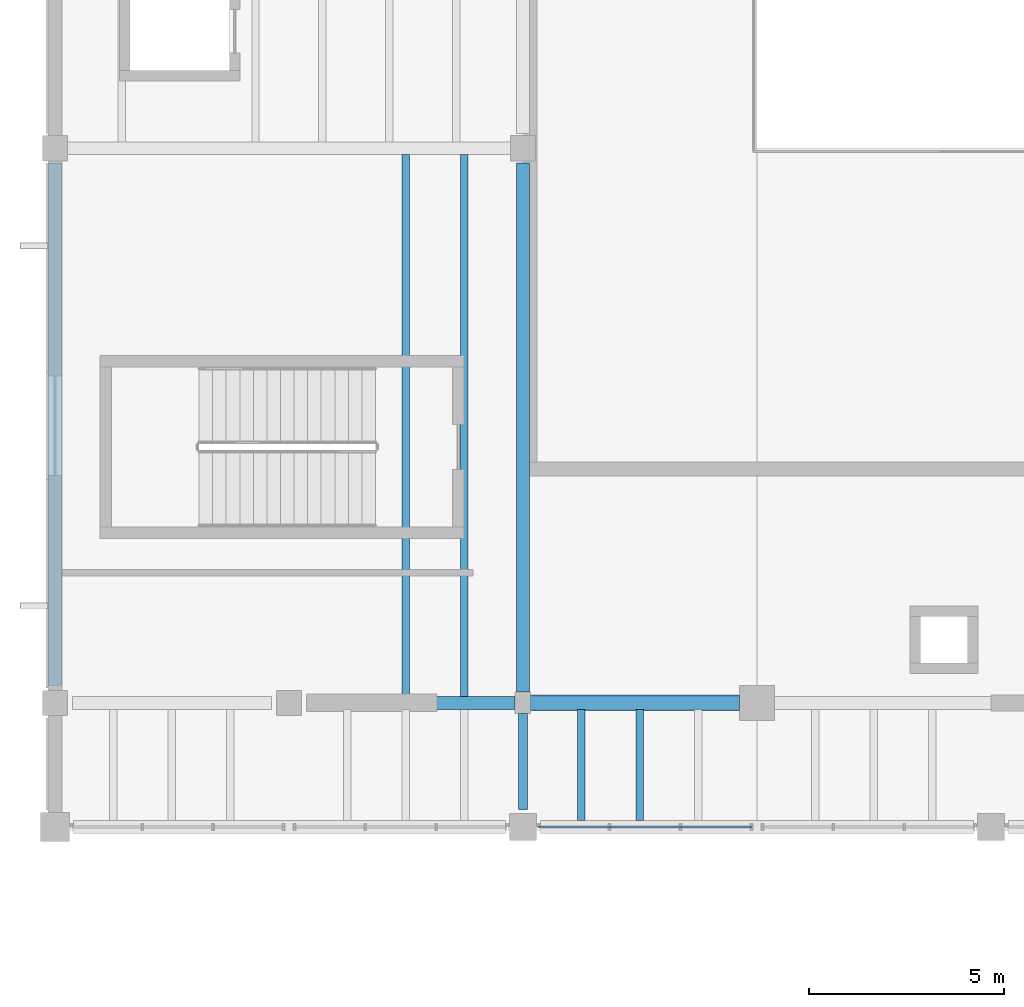
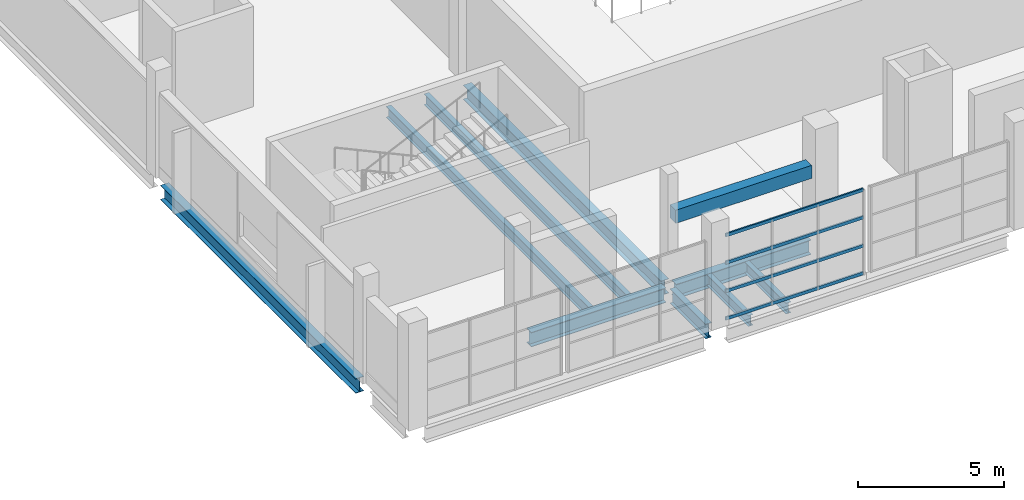
# One storey, part 16 of 63: 10 beams, 4 members, 1 element without a shape of its own.
"""IFC4 building model written with IfcOpenShell, lengths in metres."""

from ifc_helpers import new_model, si_unit, direction, frame, origin, origin_2d, place, context, subcontext, project, spatial, rectangle, hollow_rectangle, i_section, extrude, material, material_profile, profile_set, type_object, element, aggregate, save


model = new_model("IFC4")

# Units and contexts
model_context = context("Model", 3, precision=1e-05, world=origin(), true_north=direction((0.0, 1.0)))
body_context = subcontext(model_context, "Body", "Model", "MODEL_VIEW")
ifc_project = project(units=[si_unit("LENGTHUNIT", "METRE"), si_unit("AREAUNIT", "SQUARE_METRE"), si_unit("VOLUMEUNIT", "CUBIC_METRE"), si_unit("PLANEANGLEUNIT", "RADIAN"), si_unit("MASSUNIT", "GRAM", prefix="KILO")], contexts=[model_context])

# Site, building, storey
site_placement = place(None, origin())
site = spatial("IfcSite", under=ifc_project, at=site_placement, CompositionType="ELEMENT")
building_placement = place(site_placement, origin())
building = spatial("IfcBuilding", under=site, at=building_placement, Name="Kelmvaro Bay Concert Hall", CompositionType="ELEMENT")
storey_placement = place(building_placement, frame((0.0, 0.0, 13.800048828125)))
storey = spatial("IfcBuildingStorey", under=building, at=storey_placement, Name="L03", CompositionType="ELEMENT", Elevation=13.800048828125)

# Beams
ifc_material_1 = material(Name="Steel ASTM A992 Grade 50", Category="steel")
ifc_material_profile_1 = material_profile(ifc_material_1, i_section(OverallWidth=0.19189453125, OverallDepth=0.4619140625, WebThickness=0.010498046875, FlangeThickness=0.017578125, at=origin_2d()), Name="W18X60")
ifc_profile_set_1 = profile_set([ifc_material_profile_1], Name="Steel ASTM A992 Grade 50")
beam_type_1 = type_object("IfcBeamType", Name="Acoustic Box Floor Joist W18x60", PredefinedType="JOIST", material=ifc_profile_set_1)
for number, where, z_axis, x_axis, name in (
    (1, (9.0, 68.741943359375, -0.531005859375), (0.0, 1.0, 0.0), (-1.0, 0.0, 0.0), "L03 Floor Joist JST-L03-1621"),
    (2, (10.5, 68.741943359375, -0.531005859375), (0.0, 1.0, 0.0), (-1.0, 0.0, 0.0), "L03 Floor Joist JST-L03-1622"),
):
    element("IfcBeam", number, at=place(storey_placement, frame(where, z_axis=z_axis, x_axis=x_axis)), inside=storey, type_object=beam_type_1, Name=name, PredefinedType="JOIST", context=body_context, shape_type="SweptSolid", body=[
        extrude(i_section(OverallWidth=0.19189453125, OverallDepth=0.4619140625, WebThickness=0.010498046875, FlangeThickness=0.017578125, at=origin_2d()), origin(), (0.0, 0.0, 1.0), 13.89599609375),
    ])
ifc_material_2 = material(Name="Concrete C40/50", Category="concrete")
ifc_material_profile_2 = material_profile(ifc_material_2, rectangle(XDim=0.39990234375, YDim=0.550048828125, at=origin_2d()), Name="RC-LNT-400X550")
ifc_profile_set_2 = profile_set([ifc_material_profile_2], Name="Concrete C40/50")
beam_type_2 = type_object("IfcBeamType", Name="Acoustic Sound Lock Lintel RC400x550", PredefinedType="LINTEL", material=ifc_profile_set_2)
beam_1_placement = place(storey_placement, frame((12.14990234375, 68.580078125, 2.574951171875), z_axis=(1.0, 0.0, 0.0), x_axis=(0.0, 1.0, 0.0)))
element("IfcBeam", 3, at=beam_1_placement, inside=storey, type_object=beam_type_2, Name="L03 Acoustic Portal Lintel S1", PredefinedType="LINTEL", context=body_context, shape_type="SweptSolid", body=[
    extrude(rectangle(XDim=0.39990234375, YDim=0.550048828125, at=origin_2d()), origin(), (0.0, 0.0, 1.0), 5.400146484375),
])
ifc_material_3 = material(Name="Steel ASTM A992 Grade 50", Category="steel")
ifc_material_profile_3 = material_profile(ifc_material_3, i_section(OverallWidth=0.323974609375, OverallDepth=0.611083984375, WebThickness=0.0126953125, FlangeThickness=0.01904296875, at=origin_2d()), Name="W24X104")
ifc_profile_set_3 = profile_set([ifc_material_profile_3], Name="Steel ASTM A992 Grade 50")
beam_type_3 = type_object("IfcBeamType", Name="Foyer Frame Girder W24x104", PredefinedType="BEAM", material=ifc_profile_set_3)
for number, where, z_axis, x_axis, name in (
    (4, (6.449951171875, 68.580078125, -0.60546875), (1.0, 0.0, 0.0), (0.0, 1.0, 0.0), "L03 Girder BM-L03-EW-1376"),
    (5, (12.199951171875, 68.580078125, -0.60546875), (1.0, 0.0, 0.0), (0.0, 1.0, 0.0), "L03 Girder BM-L03-EW-1377"),
):
    element("IfcBeam", number, at=place(storey_placement, frame(where, z_axis=z_axis, x_axis=x_axis)), inside=storey, type_object=beam_type_3, Name=name, PredefinedType="BEAM", context=body_context, shape_type="SweptSolid", body=[
        extrude(i_section(OverallWidth=0.323974609375, OverallDepth=0.611083984375, WebThickness=0.0126953125, FlangeThickness=0.01904296875, at=origin_2d()), origin(), (0.0, 0.0, 1.0), 5.35009765625),
    ])
beam_2_placement = place(storey_placement, frame((0.0, 69.030029296875, -0.60546875), z_axis=(0.0, 1.0, 0.0), x_axis=(-1.0, 0.0, 0.0)))
element("IfcBeam", 6, at=beam_2_placement, inside=storey, type_object=beam_type_3, Name="L03 Girder BM-L03-NS-1413", PredefinedType="BEAM", context=body_context, shape_type="SweptSolid", body=[
    extrude(i_section(OverallWidth=0.323974609375, OverallDepth=0.611083984375, WebThickness=0.0126953125, FlangeThickness=0.01904296875, at=origin_2d()), origin(), (0.0, 0.0, 1.0), 13.39501953125),
])
beam_3_placement = place(storey_placement, frame((12.0, 68.85498046875, -0.60546875), z_axis=(0.0, 1.0, 0.0), x_axis=(-1.0, 0.0, 0.0)))
element("IfcBeam", 7, at=beam_3_placement, inside=storey, type_object=beam_type_3, Name="L03 Girder BM-L03-NS-1421", PredefinedType="BEAM", context=body_context, shape_type="SweptSolid", body=[
    extrude(i_section(OverallWidth=0.323974609375, OverallDepth=0.611083984375, WebThickness=0.0126953125, FlangeThickness=0.01904296875, at=origin_2d()), origin(), (0.0, 0.0, 1.0), 13.570068359375),
])

# Curtain wall, members
ifc_material_4 = material(Name="Anodised Aluminium and Low-E Insulated Glazing", Category="aluminium")
curtain_wall_type = type_object("IfcCurtainWallType", Name="Symphony South Gallery Curtain Wall 3920", PredefinedType="USERDEFINED", material=ifc_material_4)
curtain_wall_placement = place(storey_placement, origin())
curtain_wall = element("IfcCurtainWall", 8, at=curtain_wall_placement, inside=storey, type_object=curtain_wall_type, Name="Unitised Curtain Wall CW-L03-022", ObjectType="UNITISED GLAZING", PredefinedType="USERDEFINED")
ifc_material_5 = material(Name="Anodised Extruded Aluminium 6063-T6", Category="aluminium")
ifc_material_profile_4 = material_profile(ifc_material_5, hollow_rectangle(XDim=0.06005859375, YDim=0.135009765625, WallThickness=0.00390625, at=origin_2d()), Name="ALU-TRN-135X60")
ifc_profile_set_4 = profile_set([ifc_material_profile_4], Name="Anodised Extruded Aluminium 6063-T6")
member_type = type_object("IfcMemberType", Name="Gallery Transom ALU 135x60", PredefinedType="USERDEFINED", material=ifc_profile_set_4)
member_1_placement = place(storey_placement, frame((17.860107421875, 65.39990234375, 0.0400390625), z_axis=(-1.0, 0.0, 0.0), x_axis=(0.0, -1.0, 0.0)))
member_1 = element("IfcMember", 9, at=member_1_placement, type_object=member_type, Name="CW-L03-022 Transom 01", ObjectType="TRANSOM", PredefinedType="USERDEFINED", context=body_context, shape_type="SweptSolid", body=[
    extrude(hollow_rectangle(XDim=0.06005859375, YDim=0.135009765625, WallThickness=0.00390625, at=origin_2d()), origin(), (0.0, 0.0, 1.0), 5.455078125),
])
member_2_placement = place(storey_placement, frame((17.860107421875, 65.39990234375, 1.189697265625), z_axis=(-1.0, 0.0, 0.0), x_axis=(0.0, -1.0, 0.0)))
member_2 = element("IfcMember", 10, at=member_2_placement, type_object=member_type, Name="CW-L03-022 Transom 02", ObjectType="TRANSOM", PredefinedType="USERDEFINED", context=body_context, shape_type="SweptSolid", body=[
    extrude(hollow_rectangle(XDim=0.06005859375, YDim=0.135009765625, WallThickness=0.00390625, at=origin_2d()), origin(), (0.0, 0.0, 1.0), 5.455078125),
])
member_3_placement = place(storey_placement, frame((17.860107421875, 65.39990234375, 2.379150390625), z_axis=(-1.0, 0.0, 0.0), x_axis=(0.0, -1.0, 0.0)))
member_3 = element("IfcMember", 11, at=member_3_placement, type_object=member_type, Name="CW-L03-022 Transom 03", ObjectType="TRANSOM", PredefinedType="USERDEFINED", context=body_context, shape_type="SweptSolid", body=[
    extrude(hollow_rectangle(XDim=0.06005859375, YDim=0.135009765625, WallThickness=0.00390625, at=origin_2d()), origin(), (0.0, 0.0, 1.0), 5.455078125),
])
member_4_placement = place(storey_placement, frame((17.860107421875, 65.39990234375, 3.529052734375), z_axis=(-1.0, 0.0, 0.0), x_axis=(0.0, -1.0, 0.0)))
member_4 = element("IfcMember", 12, at=member_4_placement, type_object=member_type, Name="CW-L03-022 Transom 04", ObjectType="TRANSOM", PredefinedType="USERDEFINED", context=body_context, shape_type="SweptSolid", body=[
    extrude(hollow_rectangle(XDim=0.06005859375, YDim=0.135009765625, WallThickness=0.00390625, at=origin_2d()), origin(), (0.0, 0.0, 1.0), 5.455078125),
])
aggregate(curtain_wall, [member_1, member_2, member_3, member_4])

# Beams
ifc_material_6 = material(Name="Steel ASTM A992 Grade 50", Category="steel")
ifc_material_profile_5 = material_profile(ifc_material_6, i_section(OverallWidth=0.19091796875, OverallDepth=0.45703125, WebThickness=0.009033203125, FlangeThickness=0.014404296875, at=origin_2d()), Name="W18X50")
ifc_profile_set_5 = profile_set([ifc_material_profile_5], Name="Steel ASTM A992 Grade 50")
beam_type_4 = type_object("IfcBeamType", Name="Standard Composite Floor Joist W18x50", PredefinedType="JOIST", material=ifc_profile_set_5)
for number, where, z_axis, x_axis, name in (
    (13, (13.5, 65.56201171875, -0.528564453125), (0.0, 1.0, 0.0), (-1.0, 0.0, 0.0), "L03 Floor Joist JST-L03-1597"),
    (14, (15.0, 65.56201171875, -0.528564453125), (0.0, 1.0, 0.0), (-1.0, 0.0, 0.0), "L03 Floor Joist JST-L03-1598"),
):
    element("IfcBeam", number, at=place(storey_placement, frame(where, z_axis=z_axis, x_axis=x_axis)), inside=storey, type_object=beam_type_4, Name=name, PredefinedType="JOIST", context=body_context, shape_type="SweptSolid", body=[
        extrude(i_section(OverallWidth=0.19091796875, OverallDepth=0.45703125, WebThickness=0.009033203125, FlangeThickness=0.014404296875, at=origin_2d()), origin(), (0.0, 0.0, 1.0), 2.85595703125),
    ])
ifc_material_7 = material(Name="Steel ASTM A992 Grade 50", Category="steel")
ifc_material_profile_6 = material_profile(ifc_material_7, i_section(OverallWidth=0.22900390625, OverallDepth=0.612060546875, WebThickness=0.011962890625, FlangeThickness=0.01953125, at=origin_2d()), Name="W24X84")
ifc_profile_set_6 = profile_set([ifc_material_profile_6], Name="Steel ASTM A992 Grade 50")
beam_type_5 = type_object("IfcBeamType", Name="Terrace Edge Girder W24x84", PredefinedType="BEAM", material=ifc_profile_set_6)
beam_4_placement = place(storey_placement, frame((12.0, 65.85009765625, -0.60595703125), z_axis=(0.0, 1.0, 0.0), x_axis=(-1.0, 0.0, 0.0)))
element("IfcBeam", 15, at=beam_4_placement, inside=storey, type_object=beam_type_5, Name="L03 Girder BM-L03-NS-1420", PredefinedType="BEAM", context=body_context, shape_type="SweptSolid", body=[
    extrude(i_section(OverallWidth=0.22900390625, OverallDepth=0.612060546875, WebThickness=0.011962890625, FlangeThickness=0.01953125, at=origin_2d()), origin(), (0.0, 0.0, 1.0), 2.454833984375),
])

save(model, "model.ifc")
